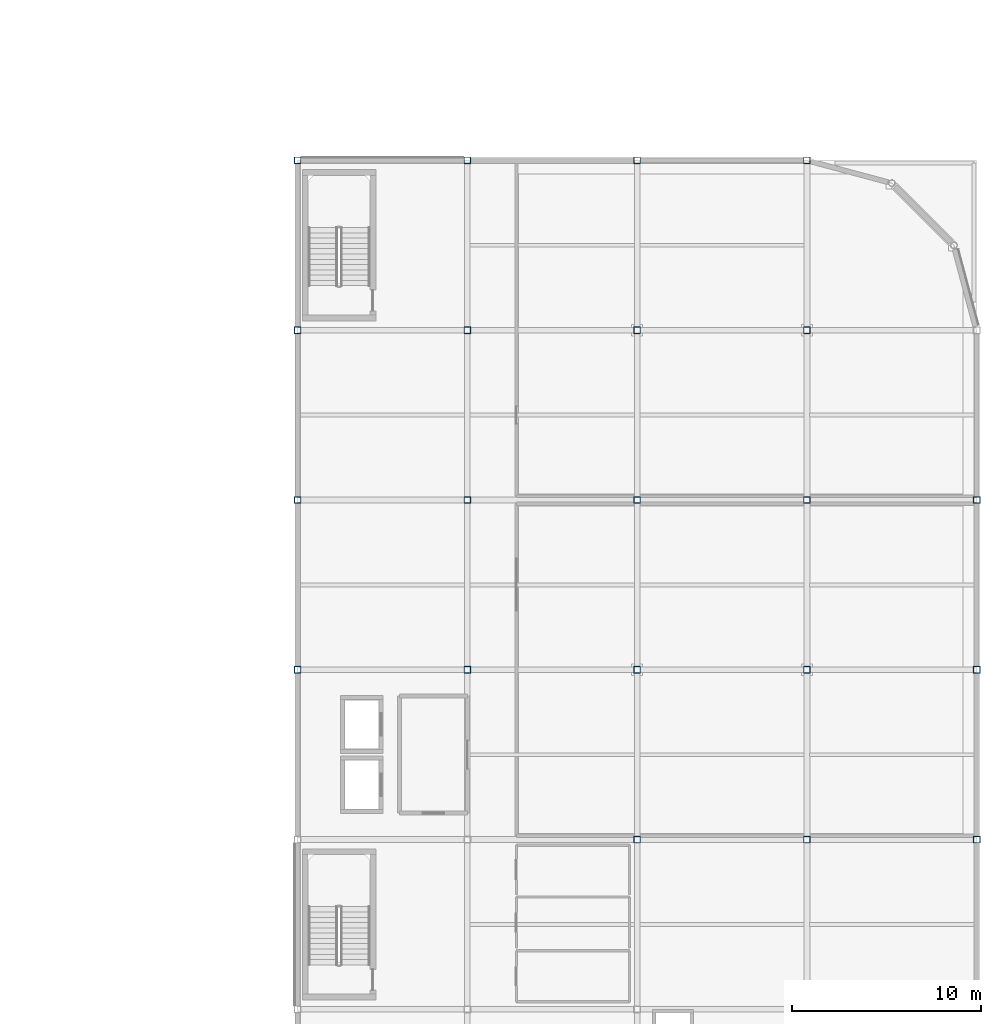
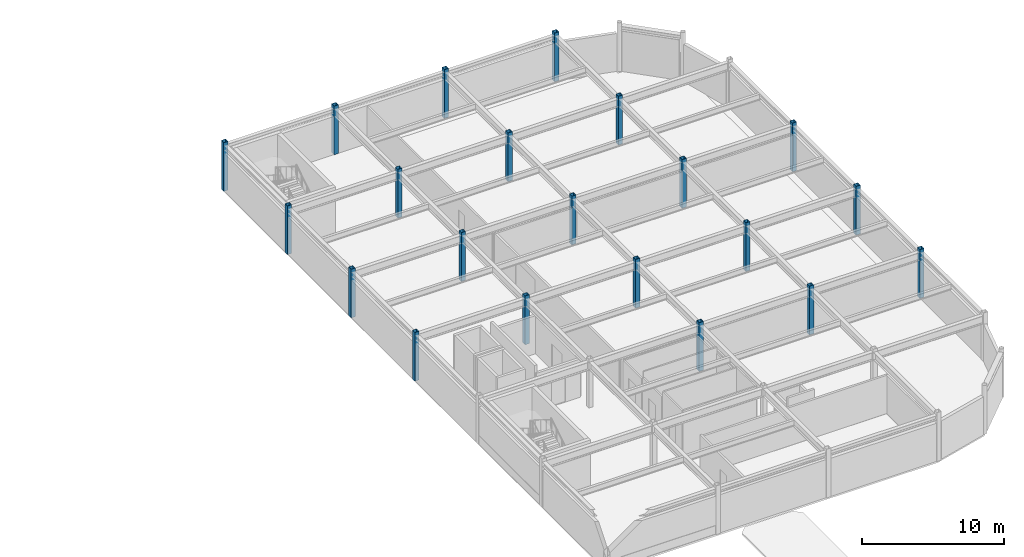
# One storey, part 6 of 40: 21 columns.
"""IFC4 building model written with IfcOpenShell, lengths in metres."""

from ifc_helpers import new_model, si_unit, direction, frame, origin, origin_2d, place, context, subcontext, project, spatial, hollow_rectangle, extrude, material, material_profile, profile_set, type_object, element, save


model = new_model("IFC4")

# Units and contexts
model_context = context("Model", 3, precision=1e-05, world=origin(), true_north=direction((0.0, 1.0)))
body_context = subcontext(model_context, "Body", "Model", "MODEL_VIEW")
ifc_project = project(units=[si_unit("LENGTHUNIT", "METRE"), si_unit("AREAUNIT", "SQUARE_METRE"), si_unit("VOLUMEUNIT", "CUBIC_METRE"), si_unit("PLANEANGLEUNIT", "RADIAN"), si_unit("MASSUNIT", "GRAM", prefix="KILO")], contexts=[model_context])

# Site, building, storey
site_placement = place(None, origin())
site = spatial("IfcSite", under=ifc_project, at=site_placement, CompositionType="ELEMENT")
building_placement = place(site_placement, origin())
building = spatial("IfcBuilding", under=site, at=building_placement, Name="Suzunagisa Mobility Hub", CompositionType="ELEMENT")
storey_placement = place(building_placement, frame((0.0, 0.0, 21.89990234375)))
storey = spatial("IfcBuildingStorey", under=building, at=storey_placement, Name="L05", CompositionType="ELEMENT", Elevation=21.89990234375)

# Columns
ifc_material = material(Name="Steel SN490B", Category="steel")
ifc_material_profile = material_profile(ifc_material, hollow_rectangle(XDim=0.35009765625, YDim=0.35009765625, WallThickness=0.01611328125, at=origin_2d()), Name="BCR-350x350x16")
ifc_profile_set = profile_set([ifc_material_profile], Name="Steel SN490B")
column_type = type_object("IfcColumnType", Name="Steel Column CL-04 BCR-350x350x16", PredefinedType="COLUMN", material=ifc_profile_set)
for number, where, z_axis, x_axis, name in (
    (1, (144.0, 71.0, 0.0), (0.0, 0.0, 1.0), (1.0, 0.0, 0.0), "L05 Column 259"),
    (2, (144.0, 80.0, 0.0), (0.0, 0.0, 1.0), (1.0, 0.0, 0.0), "L05 Column 260"),
    (3, (144.0, 89.0, 0.0), (0.0, 0.0, 1.0), (1.0, 0.0, 0.0), "L05 Column 261"),
    (4, (144.0, 98.0, 0.0), (0.0, 0.0, 1.0), (1.0, 0.0, 0.0), "L05 Column 262"),
    (5, (153.0, 71.0, 0.0), (0.0, 0.0, 1.0), (1.0, 0.0, 0.0), "L05 Column 272"),
    (6, (153.0, 80.0, 0.0), (0.0, 0.0, 1.0), (1.0, 0.0, 0.0), "L05 Column 273"),
    (7, (153.0, 89.0, 0.0), (0.0, 0.0, 1.0), (1.0, 0.0, 0.0), "L05 Column 274"),
    (8, (153.0, 98.0, 0.0), (0.0, 0.0, 1.0), (1.0, 0.0, 0.0), "L05 Column 275"),
    (9, (162.0, 62.0, 0.0), (0.0, 0.0, 1.0), (1.0, 0.0, 0.0), "L05 Column 290"),
    (10, (162.0, 71.0, 0.0), (0.0, 0.0, 1.0), (1.0, 0.0, 0.0), "L05 Column 291"),
    (11, (162.0, 80.0, 0.0), (0.0, 0.0, 1.0), (1.0, 0.0, 0.0), "L05 Column 292"),
    (12, (162.0, 89.0, 0.0), (0.0, 0.0, 1.0), (1.0, 0.0, 0.0), "L05 Column 293"),
    (13, (162.0, 98.0, 0.0), (0.0, 0.0, 1.0), (1.0, 0.0, 0.0), "L05 Column 294"),
    (14, (171.0, 62.0, 0.0), (0.0, 0.0, 1.0), (1.0, 0.0, 0.0), "L05 Column 303"),
    (15, (171.0, 71.0, 0.0), (0.0, 0.0, 1.0), (1.0, 0.0, 0.0), "L05 Column 304"),
    (16, (171.0, 80.0, 0.0), (0.0, 0.0, 1.0), (1.0, 0.0, 0.0), "L05 Column 305"),
    (17, (171.0, 89.0, 0.0), (0.0, 0.0, 1.0), (1.0, 0.0, 0.0), "L05 Column 306"),
    (18, (171.0, 98.0, 0.0), (0.0, 0.0, 1.0), (1.0, 0.0, 0.0), "L05 Column 307"),
    (19, (180.0, 62.0, 0.0), (0.0, 0.0, 1.0), (1.0, 0.0, 0.0), "L05 Column 327"),
    (20, (180.0, 71.0, 0.0), (0.0, 0.0, 1.0), (1.0, 0.0, 0.0), "L05 Column 328"),
    (21, (180.0, 80.0, 0.0), (0.0, 0.0, 1.0), (1.0, 0.0, 0.0), "L05 Column 329"),
):
    element("IfcColumn", number, at=place(storey_placement, frame(where, z_axis=z_axis, x_axis=x_axis)), inside=storey, type_object=column_type, Name=name, PredefinedType="COLUMN", context=body_context, shape_type="SweptSolid", body=[
        extrude(hollow_rectangle(XDim=0.35009765625, YDim=0.35009765625, WallThickness=0.01611328125, at=origin_2d()), origin(), (0.0, 0.0, 1.0), 4.2001953125),
    ])

save(model, "model.ifc")
